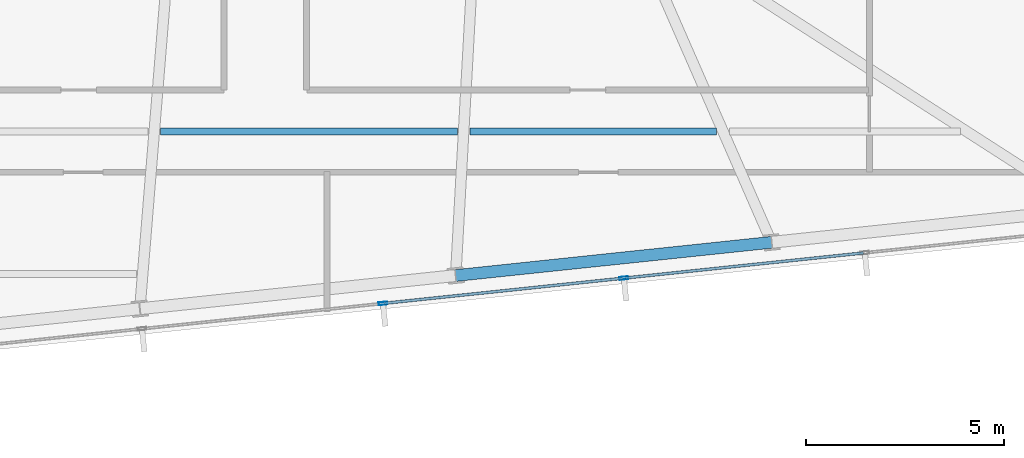
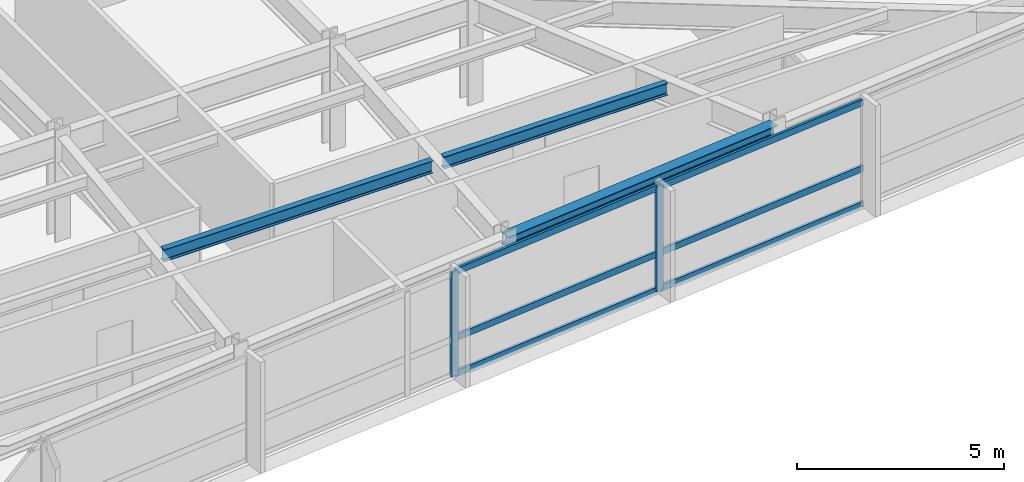
# One storey, part 10 of 26: 8 members, 3 beams, 1 element without a shape of its own.
"""IFC4 building model written with IfcOpenShell, lengths in metres."""

import ifcopenshell
import ifcopenshell.guid

model = None  # the IFC model being written
_history = None  # IfcOwnerHistory: only IFC2X3 demands one
_inside = {}  # id of a spatial element -> (the spatial element, [elements in it])
_under = {}  # id of a project, library or spatial element -> (it, [spatial elements below it])
_declared = {}  # id of a project -> (the project, [libraries it declares])
_typed = {}  # id of a type object -> (the type object, [elements of that type])
_made_of = {}  # id of a material, layer set ... -> (it, [elements and type objects made of it])


def new_model(schema):
    """Start an empty IFC model of exactly this schema.

    Asked for "IFC4X3", IfcOpenShell would pick the latest addendum, in which some entities
    have other attributes; the version numbers below select the first issue.
    IFC2X3 requires an IfcOwnerHistory on every rooted entity: one is made here for all.
    """
    global model, _history
    if schema == "IFC4X3":
        model = ifcopenshell.file(schema_version=(4, 3, 0, 0))
    else:
        model = ifcopenshell.file(schema=schema)
    _inside.clear()
    _under.clear()
    _declared.clear()
    _typed.clear()
    _made_of.clear()
    _history = None
    if model.schema == "IFC2X3":
        org = make("IfcOrganization", Name="unknown")
        user = make(
            "IfcPersonAndOrganization",
            ThePerson=make("IfcPerson", FamilyName="unknown"),
            TheOrganization=org,
        )
        app = make(
            "IfcApplication",
            ApplicationDeveloper=org,
            Version="unknown",
            ApplicationFullName="unknown",
            ApplicationIdentifier="unknown",
        )
        _history = make(
            "IfcOwnerHistory",
            OwningUser=user,
            OwningApplication=app,
            ChangeAction="ADDED",
            CreationDate=0,
        )
    return model


def make(cls, **values):
    """One entity of the class cls with the attributes given. An attribute that is None is left unset."""
    return model.create_entity(
        cls, **{name: value for name, value in values.items() if value is not None}
    )


def rooted(cls, **values):
    """An entity with a GlobalId (a new one), such as an element, a storey or a relation."""
    return make(cls, GlobalId=ifcopenshell.guid.new(), OwnerHistory=_history, **values)


def si_unit(unit_type, name, prefix=None):
    """IfcSIUnit, for example si_unit("LENGTHUNIT", "METRE", prefix="MILLI")."""
    return make("IfcSIUnit", UnitType=unit_type, Prefix=prefix, Name=name)


def assignment(units):
    """IfcUnitAssignment: the units of a project."""
    return None if units is None else make("IfcUnitAssignment", Units=units)


def point(xyz):
    """IfcCartesianPoint."""
    return None if xyz is None else make("IfcCartesianPoint", Coordinates=xyz)


def direction(xyz):
    """IfcDirection."""
    return None if xyz is None else make("IfcDirection", DirectionRatios=xyz)


def frame(location, z_axis=None, x_axis=None):
    """IfcAxis2Placement3D, a coordinate frame: its origin and axes. An axis left out is left unset."""
    return make(
        "IfcAxis2Placement3D",
        Location=point(location),
        Axis=direction(z_axis),
        RefDirection=direction(x_axis),
    )


def frame_2d(location, x_axis=None):
    """IfcAxis2Placement2D, a coordinate frame in the plane: its origin and x axis."""
    return make(
        "IfcAxis2Placement2D", Location=point(location), RefDirection=direction(x_axis)
    )


def origin():
    """The frame at (0, 0, 0) with its axes left unset."""
    return frame((0.0, 0.0, 0.0))


def origin_2d():
    """The frame at (0, 0) in the plane with its x axis left unset."""
    return frame_2d((0.0, 0.0))


def place(relative_to, where):
    """IfcLocalPlacement: puts the frame where relative to a parent placement (None: the world)."""
    return make(
        "IfcLocalPlacement", PlacementRelTo=relative_to, RelativePlacement=where
    )


def context(
    kind, dimensions, precision=None, world=None, true_north=None, identifier=None
):
    """IfcGeometricRepresentationContext, for example the 3D "Model" context."""
    return make(
        "IfcGeometricRepresentationContext",
        ContextIdentifier=identifier,
        ContextType=kind,
        CoordinateSpaceDimension=dimensions,
        Precision=precision,
        WorldCoordinateSystem=world,
        TrueNorth=true_north,
    )


def subcontext(parent, identifier, kind, view, scale=None):
    """IfcGeometricRepresentationSubContext, for example "Body" below "Model"."""
    return make(
        "IfcGeometricRepresentationSubContext",
        ContextIdentifier=identifier,
        ContextType=kind,
        ParentContext=parent,
        TargetScale=scale,
        TargetView=view,
    )


def project(units=None, contexts=None):
    """IfcProject with its units and contexts."""
    return rooted(
        "IfcProject",
        Name="project",
        RepresentationContexts=contexts,
        UnitsInContext=assignment(units),
    )


def spatial(cls, under=None, at=None, **own):
    """A site, building, storey or space (cls), placed at a placement, below another one or the project."""
    s = rooted(cls, ObjectPlacement=at, **own)
    if under is not None:
        _under.setdefault(under.id(), (under, []))[1].append(s)
    return s


def profile(cls, at=None, kind="AREA", **sizes):
    """A parametric profile (cls). Its sizes go by their IFC names, for example OverallWidth=200.0."""
    return make(cls, ProfileType=kind, Position=at, **sizes)


def hollow_rectangle(**sizes):
    """IfcRectangleHollowProfileDef."""
    return profile("IfcRectangleHollowProfileDef", **sizes)


def i_section(**sizes):
    """IfcIShapeProfileDef."""
    return profile("IfcIShapeProfileDef", **sizes)


def extrude(swept, where, along, depth):
    """IfcExtrudedAreaSolid: the profile swept, set in the frame where, extruded along a direction by depth."""
    return make(
        "IfcExtrudedAreaSolid",
        SweptArea=swept,
        Position=where,
        ExtrudedDirection=direction(along),
        Depth=depth,
    )


def shape(context_of_items, identifier, shape_type, items):
    """IfcShapeRepresentation: the items that make up one representation, for example the "Body"."""
    return make(
        "IfcShapeRepresentation",
        ContextOfItems=context_of_items,
        RepresentationIdentifier=identifier,
        RepresentationType=shape_type,
        Items=items,
    )


def material(Name=None, Category=None):
    """IfcMaterial."""
    return make("IfcMaterial", Name=Name, Category=Category)


def material_profile(
    of_material, cross_section, Name=None, Category=None, Priority=None
):
    """IfcMaterialProfile: a cross section and its material."""
    return make(
        "IfcMaterialProfile",
        Name=Name,
        Material=of_material,
        Profile=cross_section,
        Priority=Priority,
        Category=Category,
    )


def profile_set(profiles, Name=None, composite=None):
    """IfcMaterialProfileSet."""
    return make(
        "IfcMaterialProfileSet",
        Name=Name,
        MaterialProfiles=profiles,
        CompositeProfile=composite,
    )


def made_of(thing, what):
    """Note that an element or type object is made of a material, layer set ...; save() writes the relation."""
    if what is not None:
        _made_of.setdefault(what.id(), (what, []))[1].append(thing)
    return thing


def type_object(cls, material=None, **own):
    """A type object (cls), such as IfcWallType, which elements share."""
    return made_of(rooted(cls, **own), material)


def element(
    cls,
    number,
    at=None,
    inside=None,
    cuts=None,
    type_object=None,
    material=None,
    context=None,
    identifier="Body",
    shape_type=None,
    held_by="IfcProductDefinitionShape",
    body=None,
    shapes=None,
    **own,
):
    """One element of the class cls, such as IfcWall. Its Tag is "e" and its number.

    at: its placement. inside: the storey or other place that contains it. cuts: it is an
    opening in that element (IfcRelVoidsElement). A single representation is given by context,
    identifier, shape_type and body (its items); several are given by shapes. held_by: the class
    of the entity that holds the representations. save() writes the other relations.
    """
    e = rooted(cls, Tag="e%d" % number, ObjectPlacement=at, **own)
    if body is not None:
        shapes = [shape(context, identifier, shape_type, body)]
    if shapes is not None:
        e.Representation = make(held_by, Representations=shapes)
    if inside is not None:
        _inside.setdefault(inside.id(), (inside, []))[1].append(e)
    if cuts is not None:
        rooted(
            "IfcRelVoidsElement", RelatingBuildingElement=cuts, RelatedOpeningElement=e
        )
    if type_object is not None:
        _typed.setdefault(type_object.id(), (type_object, []))[1].append(e)
    return made_of(e, material)


def aggregate(whole, parts):
    """IfcRelAggregates: a whole, such as a stair, and the parts it consists of."""
    return rooted("IfcRelAggregates", RelatingObject=whole, RelatedObjects=parts)


def save(model, path):
    """Write the relations noted so far, then the file.

    IfcRelAggregates (storeys below a building ...), IfcRelContainedInSpatialStructure (elements
    in a storey), IfcRelDefinesByType, IfcRelAssociatesMaterial and IfcRelDeclares: one each for
    every whole, place, type object, material and project.
    """
    for whole, parts in _under.values():
        aggregate(whole, parts)
    for where, things in _inside.values():
        rooted(
            "IfcRelContainedInSpatialStructure",
            RelatedElements=things,
            RelatingStructure=where,
        )
    for kind, things in _typed.values():
        rooted("IfcRelDefinesByType", RelatedObjects=things, RelatingType=kind)
    for what, things in _made_of.values():
        rooted("IfcRelAssociatesMaterial", RelatedObjects=things, RelatingMaterial=what)
    for by, libraries in _declared.values():
        rooted("IfcRelDeclares", RelatingContext=by, RelatedDefinitions=libraries)
    model.write(path)


model = new_model("IFC4")

# Units and contexts
model_context = context("Model", 3, precision=1e-05, world=origin(), true_north=direction((0.0, 1.0)))
body_context = subcontext(model_context, "Body", "Model", "MODEL_VIEW")
ifc_project = project(units=[si_unit("LENGTHUNIT", "METRE"), si_unit("AREAUNIT", "SQUARE_METRE"), si_unit("VOLUMEUNIT", "CUBIC_METRE"), si_unit("PLANEANGLEUNIT", "RADIAN"), si_unit("MASSUNIT", "GRAM", prefix="KILO")], contexts=[model_context])

# Site, building, storey
site_placement = place(None, origin())
site = spatial("IfcSite", under=ifc_project, at=site_placement, CompositionType="ELEMENT")
building_placement = place(site_placement, origin())
building = spatial("IfcBuilding", under=site, at=building_placement, Name="Yelkora Congress Tower", CompositionType="ELEMENT")
storey_placement = place(building_placement, frame((0.0, 0.0, 204.5)))
storey = spatial("IfcBuildingStorey", under=building, at=storey_placement, Name="L56", CompositionType="ELEMENT", Elevation=204.5)

# Beams
ifc_material_1 = material(Name="Steel S355J2", Category="steel")
ifc_material_profile_1 = material_profile(ifc_material_1, i_section(OverallWidth=0.169921875, OverallDepth=0.360107421875, WebThickness=0.008056640625, FlangeThickness=0.0126953125, FilletRadius=0.01806640625, at=origin_2d()), Name="IPE 360")
ifc_profile_set_1 = profile_set([ifc_material_profile_1], Name="Steel S355J2")
beam_type_1 = type_object("IfcBeamType", Name="BM-JOIST-IPE360", PredefinedType="JOIST", material=ifc_profile_set_1)
beam_1_placement = place(storey_placement, frame((45.791259765625, 19.678466796875, 2.89990234375), z_axis=(1.0, 0.0, 0.0), x_axis=(0.0, 1.0, 0.0)))
element("IfcBeam", 1, at=beam_1_placement, inside=storey, type_object=beam_type_1, Name="L56 Composite Floor Joist 6", PredefinedType="JOIST", context=body_context, shape_type="SweptSolid", body=[
    extrude(i_section(OverallWidth=0.169921875, OverallDepth=0.360107421875, WebThickness=0.008056640625, FlangeThickness=0.0126953125, FilletRadius=0.01806640625, at=origin_2d()), origin(), (0.0, 0.0, 1.0), 7.505126953125),
])
beam_2_placement = place(storey_placement, frame((53.616455078125, 19.678466796875, 2.89990234375), z_axis=(1.0, 0.0, 0.0), x_axis=(0.0, 1.0, 0.0)))
element("IfcBeam", 2, at=beam_2_placement, inside=storey, type_object=beam_type_1, Name="L56 Composite Floor Joist 7", PredefinedType="JOIST", context=body_context, shape_type="SweptSolid", body=[
    extrude(i_section(OverallWidth=0.169921875, OverallDepth=0.360107421875, WebThickness=0.008056640625, FlangeThickness=0.0126953125, FilletRadius=0.01806640625, at=origin_2d()), origin(), (0.0, 0.0, 1.0), 6.2421875),
])
ifc_material_profile_2 = material_profile(ifc_material_1, i_section(OverallWidth=0.300048828125, OverallDepth=0.340087890625, WebThickness=0.011962890625, FlangeThickness=0.021484375, FilletRadius=0.027099609375, at=origin_2d()), Name="HEB 340")
ifc_profile_set_2 = profile_set([ifc_material_profile_2], Name="Steel S355J2")
beam_type_2 = type_object("IfcBeamType", Name="BM-SPAN-HEB340", PredefinedType="SPANDREL", material=ifc_profile_set_2)
beam_3_placement = place(storey_placement, frame((53.25634765625, 16.037353515625, 2.909912109375), z_axis=(0.994520097542, 0.104545567032, 0.0), x_axis=(-0.104545567032, 0.994520097542, 0.0)))
element("IfcBeam", 3, at=beam_3_placement, inside=storey, type_object=beam_type_2, Name="L56 Perimeter Beam 7", PredefinedType="SPANDREL", context=body_context, shape_type="SweptSolid", body=[
    extrude(i_section(OverallWidth=0.300048828125, OverallDepth=0.340087890625, WebThickness=0.011962890625, FlangeThickness=0.021484375, FilletRadius=0.027099609375, at=origin_2d()), origin(), (0.0, 0.0, 1.0), 8.033203125),
])

# Curtain wall, members
ifc_material_2 = material(Name="Anodised aluminium and insulated glass", Category="aluminium")
curtain_wall_type = type_object("IfcCurtainWallType", Name="CW-SYS-SKY", PredefinedType="NOTDEFINED", material=ifc_material_2)
curtain_wall_placement = place(storey_placement, origin())
curtain_wall = element("IfcCurtainWall", 4, at=curtain_wall_placement, inside=storey, type_object=curtain_wall_type, Name="L56 Unitised Curtain Wall 20", PredefinedType="NOTDEFINED")
ifc_material_3 = material(Name="Anodised aluminium 6063-T6", Category="aluminium")
ifc_material_profile_3 = material_profile(ifc_material_3, hollow_rectangle(XDim=0.074951171875, YDim=0.219970703125, WallThickness=0.0048828125, at=origin_2d()), Name="ALU 75x220x5")
ifc_profile_set_3 = profile_set([ifc_material_profile_3], Name="Anodised aluminium 6063-T6")
member_type_1 = type_object("IfcMemberType", Name="MEM-ML-SKY", PredefinedType="MULLION", material=ifc_profile_set_3)
member_1_placement = place(storey_placement, frame((57.50830078125, 15.971435546875, 0.0), z_axis=(0.0, 0.0, 1.0), x_axis=(0.104526664994, -0.994522084373, 0.0)))
member_1 = element("IfcMember", 5, at=member_1_placement, type_object=member_type_1, Name="CW-SKY mullion 3", PredefinedType="MULLION", context=body_context, shape_type="SweptSolid", body=[
    extrude(hollow_rectangle(XDim=0.074951171875, YDim=0.219970703125, WallThickness=0.0048828125, at=origin_2d()), origin(), (0.0, 0.0, 1.0), 3.080078125),
])
member_2_placement = place(storey_placement, frame((51.414306640625, 15.3310546875, 0.0), z_axis=(0.0, 0.0, 1.0), x_axis=(0.104526664994, -0.994522084373, 0.0)))
member_2 = element("IfcMember", 6, at=member_2_placement, type_object=member_type_1, Name="CW-SKY mullion 4", PredefinedType="MULLION", context=body_context, shape_type="SweptSolid", body=[
    extrude(hollow_rectangle(XDim=0.074951171875, YDim=0.219970703125, WallThickness=0.0048828125, at=origin_2d()), origin(), (0.0, 0.0, 1.0), 3.080078125),
])
ifc_material_profile_4 = material_profile(ifc_material_3, hollow_rectangle(XDim=0.070068359375, YDim=0.18994140625, WallThickness=0.00390625, at=origin_2d()), Name="ALU 70x190x4")
ifc_profile_set_4 = profile_set([ifc_material_profile_4], Name="Anodised aluminium 6063-T6")
member_type_2 = type_object("IfcMemberType", Name="MEM-TR-SKY", PredefinedType="USERDEFINED", material=ifc_profile_set_4)
member_3_placement = place(storey_placement, frame((63.56494140625, 16.60791015625, 0.034912109375), z_axis=(-0.994523782232, -0.1045105094, 0.0), x_axis=(0.1045105094, -0.994523782232, 0.0)))
member_3 = element("IfcMember", 7, at=member_3_placement, type_object=member_type_2, Name="CW-SKY transom 2.1", ObjectType="TRANSOM", PredefinedType="USERDEFINED", context=body_context, shape_type="SweptSolid", body=[
    extrude(hollow_rectangle(XDim=0.070068359375, YDim=0.18994140625, WallThickness=0.00390625, at=origin_2d()), origin(), (0.0, 0.0, 1.0), 6.052734375),
])
member_4_placement = place(storey_placement, frame((63.56494140625, 16.60791015625, 1.10009765625), z_axis=(-0.994523782232, -0.1045105094, 0.0), x_axis=(0.1045105094, -0.994523782232, 0.0)))
member_4 = element("IfcMember", 8, at=member_4_placement, type_object=member_type_2, Name="CW-SKY transom 2.2", ObjectType="TRANSOM", PredefinedType="USERDEFINED", context=body_context, shape_type="SweptSolid", body=[
    extrude(hollow_rectangle(XDim=0.070068359375, YDim=0.18994140625, WallThickness=0.00390625, at=origin_2d()), origin(), (0.0, 0.0, 1.0), 6.052734375),
])
member_5_placement = place(storey_placement, frame((63.56494140625, 16.60791015625, 3.044921875), z_axis=(-0.994523782232, -0.1045105094, 0.0), x_axis=(0.1045105094, -0.994523782232, 0.0)))
member_5 = element("IfcMember", 9, at=member_5_placement, type_object=member_type_2, Name="CW-SKY transom 2.3", ObjectType="TRANSOM", PredefinedType="USERDEFINED", context=body_context, shape_type="SweptSolid", body=[
    extrude(hollow_rectangle(XDim=0.070068359375, YDim=0.18994140625, WallThickness=0.00390625, at=origin_2d()), origin(), (0.0, 0.0, 1.0), 6.052734375),
])
member_6_placement = place(storey_placement, frame((57.470947265625, 15.967529296875, 0.034912109375), z_axis=(-0.994523341638, -0.104514702015, 0.0), x_axis=(0.104514702015, -0.994523341638, 0.0)))
member_6 = element("IfcMember", 10, at=member_6_placement, type_object=member_type_2, Name="CW-SKY transom 3.1", ObjectType="TRANSOM", PredefinedType="USERDEFINED", context=body_context, shape_type="SweptSolid", body=[
    extrude(hollow_rectangle(XDim=0.070068359375, YDim=0.18994140625, WallThickness=0.00390625, at=origin_2d()), origin(), (0.0, 0.0, 1.0), 6.052490234375),
])
member_7_placement = place(storey_placement, frame((57.470947265625, 15.967529296875, 1.10009765625), z_axis=(-0.994523341638, -0.104514702015, 0.0), x_axis=(0.104514702015, -0.994523341638, 0.0)))
member_7 = element("IfcMember", 11, at=member_7_placement, type_object=member_type_2, Name="CW-SKY transom 3.2", ObjectType="TRANSOM", PredefinedType="USERDEFINED", context=body_context, shape_type="SweptSolid", body=[
    extrude(hollow_rectangle(XDim=0.070068359375, YDim=0.18994140625, WallThickness=0.00390625, at=origin_2d()), origin(), (0.0, 0.0, 1.0), 6.052490234375),
])
member_8_placement = place(storey_placement, frame((57.470947265625, 15.967529296875, 3.044921875), z_axis=(-0.994523341638, -0.104514702015, 0.0), x_axis=(0.104514702015, -0.994523341638, 0.0)))
member_8 = element("IfcMember", 12, at=member_8_placement, type_object=member_type_2, Name="CW-SKY transom 3.3", ObjectType="TRANSOM", PredefinedType="USERDEFINED", context=body_context, shape_type="SweptSolid", body=[
    extrude(hollow_rectangle(XDim=0.070068359375, YDim=0.18994140625, WallThickness=0.00390625, at=origin_2d()), origin(), (0.0, 0.0, 1.0), 6.052490234375),
])
aggregate(curtain_wall, [member_1, member_2, member_3, member_4, member_5, member_6, member_7, member_8])

save(model, "model.ifc")
